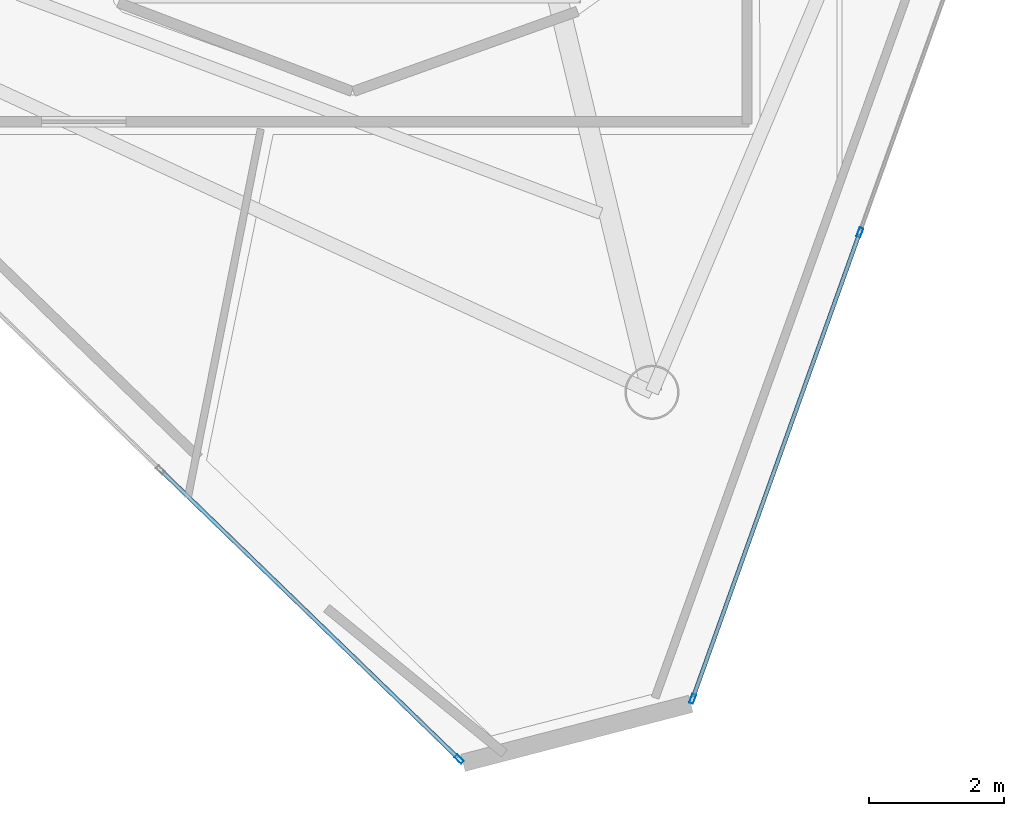
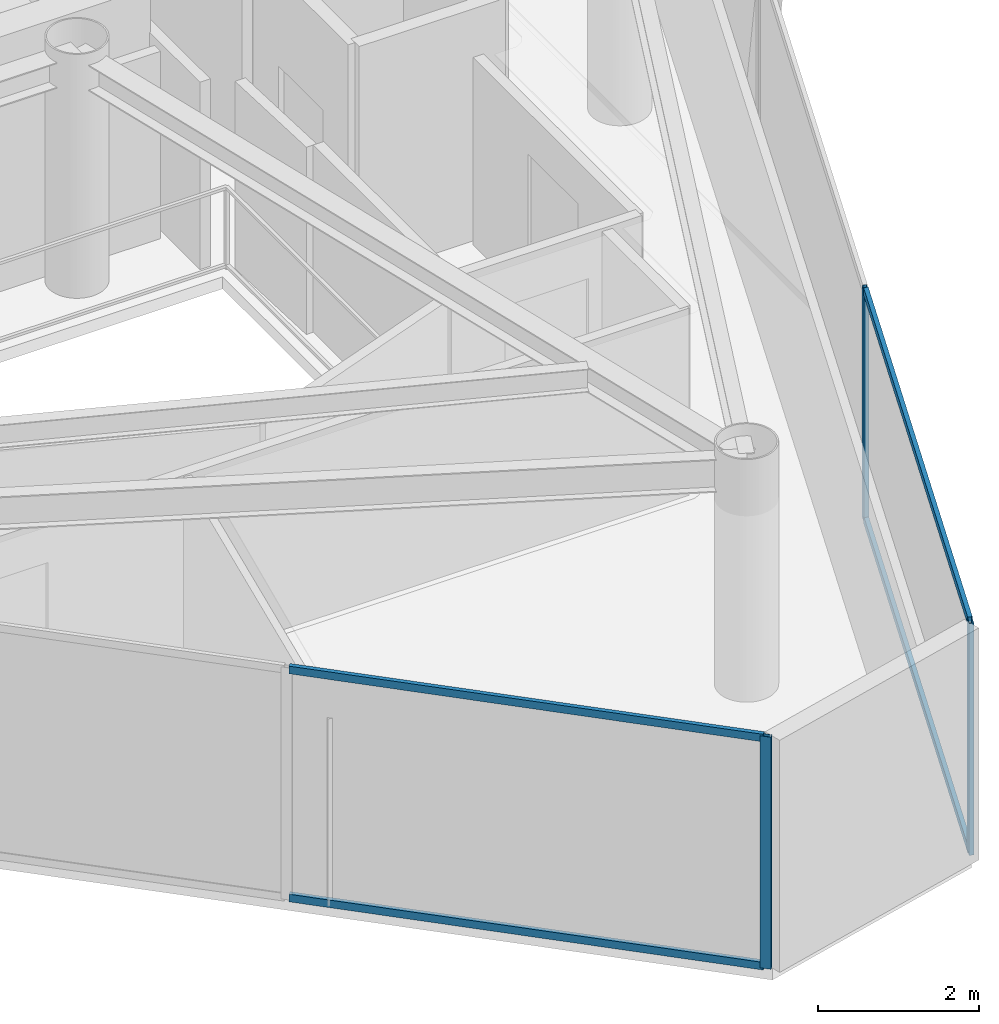
# One storey, part 4 of 19: 7 members, 2 elements without a shape of their own.
"""IFC4 building model written with IfcOpenShell, lengths in metres."""

from ifc_helpers import new_model, si_unit, direction, frame, origin, origin_2d, place, context, subcontext, project, spatial, hollow_rectangle, extrude, material, layer, layer_set, material_profile, profile_set, type_object, element, aggregate, save


model = new_model("IFC4")

# Units and contexts
model_context = context("Model", 3, precision=1e-05, world=origin(), true_north=direction((0.0, 1.0)))
body_context = subcontext(model_context, "Body", "Model", "MODEL_VIEW")
ifc_project = project(units=[si_unit("LENGTHUNIT", "METRE"), si_unit("AREAUNIT", "SQUARE_METRE"), si_unit("VOLUMEUNIT", "CUBIC_METRE"), si_unit("PLANEANGLEUNIT", "RADIAN"), si_unit("MASSUNIT", "GRAM", prefix="KILO")], contexts=[model_context])

# Site, building, storey
site_placement = place(None, origin())
site = spatial("IfcSite", under=ifc_project, at=site_placement, CompositionType="ELEMENT")
building_placement = place(site_placement, origin())
building = spatial("IfcBuilding", under=site, at=building_placement, Name="Qianvela Tower", CompositionType="ELEMENT")
storey_placement = place(building_placement, frame((0.0, 0.0, 344.39990234375)))
storey = spatial("IfcBuildingStorey", under=building, at=storey_placement, Name="L89", CompositionType="ELEMENT", Elevation=344.39990234375)

# Curtain wall, member
ifc_material_1 = material(Name="Anodised Architectural Aluminium and Low-E Glass", Category="aluminium")
ifc_layer = layer(ifc_material_1, 0.14990234375)
ifc_layer_set = layer_set([ifc_layer], Name="Anodised Architectural Aluminium and Low-E Glass")
curtain_wall_type = type_object("IfcCurtainWallType", Name="CW-COLIV-Z78", PredefinedType="USERDEFINED", material=ifc_layer_set)
curtain_wall_1_placement = place(storey_placement, origin())
curtain_wall_1 = element("IfcCurtainWall", 1, at=curtain_wall_1_placement, inside=storey, type_object=curtain_wall_type, Name="L89 CW-COLIV-Z78 Curtain Wall 04C", ObjectType="CURTAIN_WALL_SYSTEM", PredefinedType="USERDEFINED")
ifc_material_2 = material(Name="Anodised Architectural Aluminium 6063-T6", Category="aluminium")
ifc_material_profile_1 = material_profile(ifc_material_2, hollow_rectangle(XDim=0.06005859375, YDim=0.139892578125, WallThickness=0.00439453125, at=origin_2d()), Name="ALU-MULL-60x140")
ifc_profile_set_1 = profile_set([ifc_material_profile_1], Name="Anodised Architectural Aluminium 6063-T6")
member_type_1 = type_object("IfcMemberType", Name="CW-COLIV-Z78-MULL", PredefinedType="MULLION", material=ifc_profile_set_1)
member_1_placement = place(storey_placement, frame((38.371337890625, 6.672607421875, 0.0), z_axis=(0.0, 0.0, 1.0), x_axis=(0.695659386156, 0.71837178289, 0.0)))
member_1 = element("IfcMember", 2, at=member_1_placement, type_object=member_type_1, Name="CW-6 mullion 3", PredefinedType="MULLION", context=body_context, shape_type="SweptSolid", body=[
    extrude(hollow_rectangle(XDim=0.06005859375, YDim=0.139892578125, WallThickness=0.00439453125, at=origin_2d()), origin(), (0.0, 0.0, 1.0), 3.52001953125),
])

# Curtain wall, members
curtain_wall_2_placement = place(storey_placement, origin())
curtain_wall_2 = element("IfcCurtainWall", 3, at=curtain_wall_2_placement, inside=storey, type_object=curtain_wall_type, Name="L89 CW-COLIV-Z78 Curtain Wall 06A", ObjectType="CURTAIN_WALL_SYSTEM", PredefinedType="USERDEFINED")
member_2_placement = place(storey_placement, frame((41.8173828125, 7.563720703125, 0.0), z_axis=(0.0, 0.0, 1.0), x_axis=(-0.941312064144, 0.337537550351, 0.0)))
member_2 = element("IfcMember", 4, at=member_2_placement, type_object=member_type_1, Name="CW-6 mullion 1", PredefinedType="MULLION", context=body_context, shape_type="SweptSolid", body=[
    extrude(hollow_rectangle(XDim=0.06005859375, YDim=0.139892578125, WallThickness=0.00439453125, at=origin_2d()), origin(), (0.0, 0.0, 1.0), 3.52001953125),
])
member_3_placement = place(storey_placement, frame((44.28662109375, 14.449462890625, 0.0), z_axis=(0.0, 0.0, 1.0), x_axis=(-0.941312064144, 0.337537550351, 0.0)))
member_3 = element("IfcMember", 5, at=member_3_placement, type_object=member_type_1, Name="CW-6 mullion 2", PredefinedType="MULLION", context=body_context, shape_type="SweptSolid", body=[
    extrude(hollow_rectangle(XDim=0.06005859375, YDim=0.139892578125, WallThickness=0.00439453125, at=origin_2d()), origin(), (0.0, 0.0, 1.0), 3.52001953125),
])

# Member
ifc_material_3 = material(Name="Anodised Architectural Aluminium 6063-T6", Category="aluminium")
ifc_material_profile_2 = material_profile(ifc_material_3, hollow_rectangle(XDim=0.06005859375, YDim=0.114990234375, WallThickness=0.00390625, at=origin_2d()), Name="ALU-TRAN-60x115")
ifc_profile_set_2 = profile_set([ifc_material_profile_2], Name="Anodised Architectural Aluminium 6063-T6")
member_type_2 = type_object("IfcMemberType", Name="CW-COLIV-Z78-TRAN", PredefinedType="USERDEFINED", material=ifc_profile_set_2)
member_4_placement = place(storey_placement, frame((33.984619140625, 10.92041015625, 0.030029296875), z_axis=(0.71838641522, -0.695644275782, 0.0), x_axis=(0.695644275782, 0.71838641522, 0.0)))
member_4 = element("IfcMember", 6, at=member_4_placement, type_object=member_type_2, Name="CW-6 transom 2.1", ObjectType="TRANSOM", PredefinedType="USERDEFINED", context=body_context, shape_type="SweptSolid", body=[
    extrude(hollow_rectangle(XDim=0.06005859375, YDim=0.114990234375, WallThickness=0.00390625, at=origin_2d()), origin(), (0.0, 0.0, 1.0), 6.076171875),
])

member_5_placement = place(storey_placement, frame((33.984619140625, 10.92041015625, 3.489990234375), z_axis=(0.71838641522, -0.695644275782, 0.0), x_axis=(0.695644275782, 0.71838641522, 0.0)))
member_5 = element("IfcMember", 7, at=member_5_placement, type_object=member_type_2, Name="CW-6 transom 2.2", ObjectType="TRANSOM", PredefinedType="USERDEFINED", context=body_context, shape_type="SweptSolid", body=[
    extrude(hollow_rectangle(XDim=0.06005859375, YDim=0.114990234375, WallThickness=0.00390625, at=origin_2d()), origin(), (0.0, 0.0, 1.0), 6.076171875),
])

aggregate(curtain_wall_1, [member_1, member_4, member_5])

member_6_placement = place(storey_placement, frame((41.82763671875, 7.592041015625, 0.030029296875), z_axis=(0.337529936596, 0.941314794265, 0.0), x_axis=(-0.941314794265, 0.337529936596, 0.0)))
member_6 = element("IfcMember", 8, at=member_6_placement, type_object=member_type_2, Name="CW-6 transom 1.1", ObjectType="TRANSOM", PredefinedType="USERDEFINED", context=body_context, shape_type="SweptSolid", body=[
    extrude(hollow_rectangle(XDim=0.06005859375, YDim=0.114990234375, WallThickness=0.00390625, at=origin_2d()), origin(), (0.0, 0.0, 1.0), 7.2548828125),
])

member_7_placement = place(storey_placement, frame((41.82763671875, 7.592041015625, 3.489990234375), z_axis=(0.337529936596, 0.941314794265, 0.0), x_axis=(-0.941314794265, 0.337529936596, 0.0)))
member_7 = element("IfcMember", 9, at=member_7_placement, type_object=member_type_2, Name="CW-6 transom 1.2", ObjectType="TRANSOM", PredefinedType="USERDEFINED", context=body_context, shape_type="SweptSolid", body=[
    extrude(hollow_rectangle(XDim=0.06005859375, YDim=0.114990234375, WallThickness=0.00390625, at=origin_2d()), origin(), (0.0, 0.0, 1.0), 7.2548828125),
])

aggregate(curtain_wall_2, [member_2, member_3, member_6, member_7])

save(model, "model.ifc")
